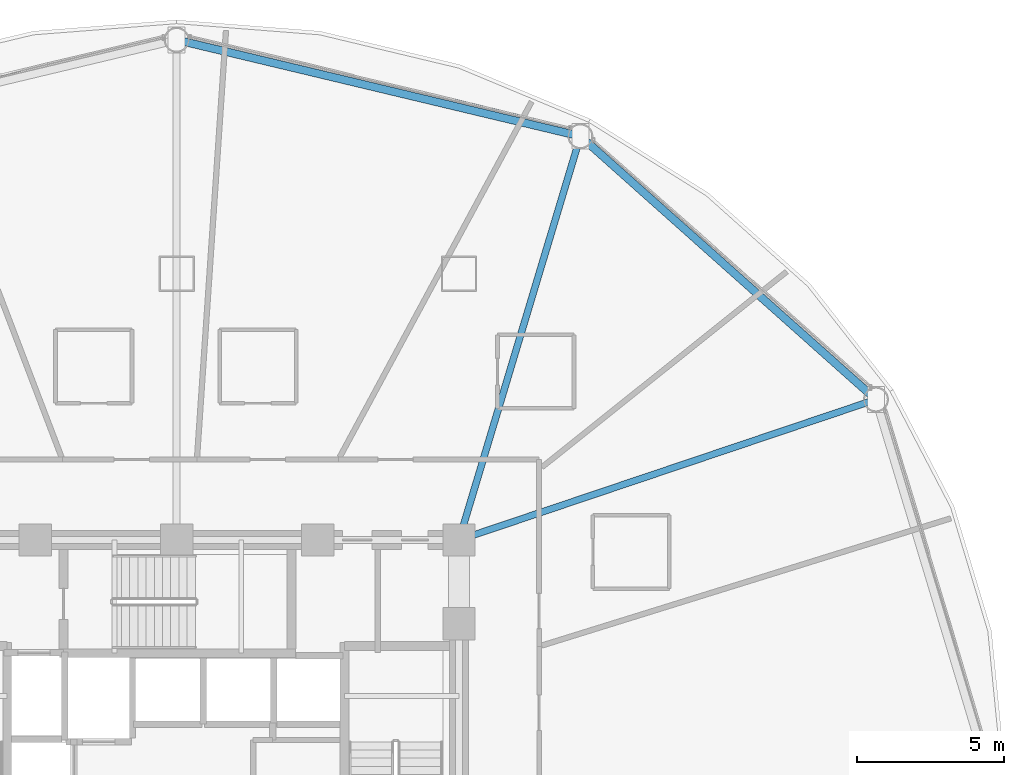
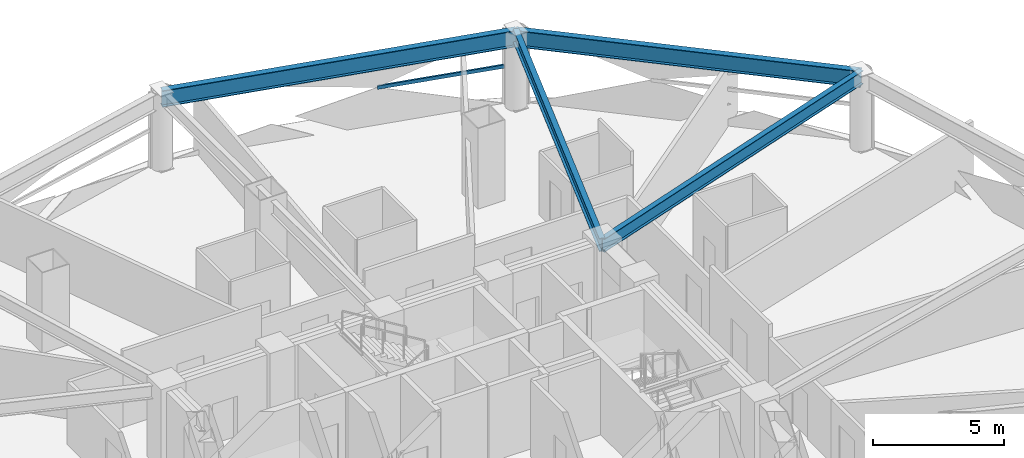
# One storey, part 18 of 29: 4 beams, 1 member, 1 element without a shape of its own.
"""IFC4 building model written with IfcOpenShell, lengths in metres."""

from ifc_helpers import new_model, si_unit, direction, frame, origin, origin_2d, place, context, subcontext, project, spatial, hollow_rectangle, i_section, extrude, material, layer, layer_set, material_profile, profile_set, type_object, element, aggregate, save


model = new_model("IFC4")

# Units and contexts
model_context = context("Model", 3, precision=1e-05, world=origin(), true_north=direction((0.0, 1.0)))
body_context = subcontext(model_context, "Body", "Model", "MODEL_VIEW")
ifc_project = project(units=[si_unit("LENGTHUNIT", "METRE"), si_unit("AREAUNIT", "SQUARE_METRE"), si_unit("VOLUMEUNIT", "CUBIC_METRE"), si_unit("PLANEANGLEUNIT", "RADIAN"), si_unit("MASSUNIT", "GRAM", prefix="KILO")], contexts=[model_context])

# Site, building, storey
site_placement = place(None, origin())
site = spatial("IfcSite", under=ifc_project, at=site_placement, CompositionType="ELEMENT")
building_placement = place(site_placement, origin())
building = spatial("IfcBuilding", under=site, at=building_placement, Name="Vantalir Tower", CompositionType="ELEMENT")
storey_placement = place(building_placement, frame((0.0, 0.0, 60.75)))
storey = spatial("IfcBuildingStorey", under=building, at=storey_placement, Name="L14", CompositionType="ELEMENT", Elevation=60.75)

# Beams
ifc_material_1 = material(Name="Steel S355", Category="steel")
ifc_material_profile_1 = material_profile(ifc_material_1, i_section(OverallWidth=0.22998046875, OverallDepth=0.616943359375, WebThickness=0.01318359375, FlangeThickness=0.022216796875, at=origin_2d()), Name="Steel S355")
ifc_profile_set_1 = profile_set([ifc_material_profile_1], Name="Steel S355")
beam_type_1 = type_object("IfcBeamType", Name="BM-RB-610x229", PredefinedType="BEAM", material=ifc_profile_set_1)
beam_1_placement = place(storey_placement, frame((55.27294921875, 37.22509765625, 3.261962890625), z_axis=(-0.947658091823, -0.319286925825, 0.0), x_axis=(0.319286925825, -0.947658091823, 0.0)))
element("IfcBeam", 1, at=beam_1_placement, inside=storey, type_object=beam_type_1, Name="L14 Radial Floor Beam 02", PredefinedType="BEAM", context=body_context, shape_type="SweptSolid", body=[
    extrude(i_section(OverallWidth=0.22998046875, OverallDepth=0.616943359375, WebThickness=0.01318359375, FlangeThickness=0.022216796875, at=origin_2d()), origin(), (0.0, 0.0, 1.0), 14.95556640625),
])
beam_2_placement = place(storey_placement, frame((45.22607421875, 46.175048828125, 3.261962890625), z_axis=(-0.287888578324, -0.95766391102, 0.0), x_axis=(0.95766391102, -0.287888578324, 0.0)))
element("IfcBeam", 2, at=beam_2_placement, inside=storey, type_object=beam_type_1, Name="L14 Radial Floor Beam 03", PredefinedType="BEAM", context=body_context, shape_type="SweptSolid", body=[
    extrude(i_section(OverallWidth=0.22998046875, OverallDepth=0.616943359375, WebThickness=0.01318359375, FlangeThickness=0.022216796875, at=origin_2d()), origin(), (0.0, 0.0, 1.0), 14.331787109375),
])
ifc_material_2 = material(Name="Steel S460", Category="steel")
ifc_material_profile_2 = material_profile(ifc_material_2, i_section(OverallWidth=0.26806640625, OverallDepth=0.77001953125, WebThickness=0.015625, FlangeThickness=0.025390625, at=origin_2d()), Name="Steel S460")
ifc_profile_set_2 = profile_set([ifc_material_profile_2], Name="Steel S460")
beam_type_2 = type_object("IfcBeamType", Name="BM-RG-762x267", PredefinedType="USERDEFINED", material=ifc_profile_set_2)
beam_3_placement = place(storey_placement, frame((55.27294921875, 37.22509765625, 3.18505859375), z_axis=(-0.746693105456, 0.665168705115, 0.0), x_axis=(-0.665168705115, -0.746693105456, 0.0)))
element("IfcBeam", 3, at=beam_3_placement, inside=storey, type_object=beam_type_2, Name="L14 Circumferential Ring Girder 02", ObjectType="GIRDER", PredefinedType="USERDEFINED", context=body_context, shape_type="SweptSolid", body=[
    extrude(i_section(OverallWidth=0.26806640625, OverallDepth=0.77001953125, WebThickness=0.015625, FlangeThickness=0.025390625, at=origin_2d()), origin(), (0.0, 0.0, 1.0), 13.455078125),
])
beam_4_placement = place(storey_placement, frame((45.22607421875, 46.175048828125, 3.18505859375), z_axis=(-0.97268207428, 0.232141298294, 0.0), x_axis=(-0.232141298294, -0.97268207428, 0.0)))
element("IfcBeam", 4, at=beam_4_placement, inside=storey, type_object=beam_type_2, Name="L14 Circumferential Ring Girder 03", ObjectType="GIRDER", PredefinedType="USERDEFINED", context=body_context, shape_type="SweptSolid", body=[
    extrude(i_section(OverallWidth=0.26806640625, OverallDepth=0.77001953125, WebThickness=0.015625, FlangeThickness=0.025390625, at=origin_2d()), origin(), (0.0, 0.0, 1.0), 14.111572265625),
])

# Curtain wall, member
ifc_material_3 = material(Name="Champagne-silver PVDF aluminium and double-silver Low-E glass", Category="aluminium")
ifc_layer = layer(ifc_material_3, 0.18994140625)
ifc_layer_set = layer_set([ifc_layer], Name="Champagne-silver PVDF aluminium and double-silver Low-E glass")
curtain_wall_type = type_object("IfcCurtainWallType", Name="CW-DIAMOND-Z1", PredefinedType="USERDEFINED", material=ifc_layer_set)
curtain_wall_placement = place(storey_placement, origin())
curtain_wall = element("IfcCurtainWall", 5, at=curtain_wall_placement, inside=storey, type_object=curtain_wall_type, Name="L14 Quilted Pyramid-Diamond Curtain Wall S03", ObjectType="UNITISED CURTAIN WALL", PredefinedType="USERDEFINED")
ifc_material_4 = material(Name="Champagne-silver PVDF aluminium 6063-T6", Category="aluminium")
ifc_material_profile_3 = material_profile(ifc_material_4, hollow_rectangle(XDim=0.074951171875, YDim=0.159912109375, WallThickness=0.00390625, at=origin_2d()), Name="Champagne-silver PVDF aluminium 6063-T6")
ifc_profile_set_3 = profile_set([ifc_material_profile_3], Name="Champagne-silver PVDF aluminium 6063-T6")
member_type = type_object("IfcMemberType", Name="CWT-160x75", PredefinedType="USERDEFINED", material=ifc_profile_set_3)
member_placement = place(storey_placement, frame((44.864013671875, 46.448974609375, 1.784912109375), z_axis=(-0.971522786839, 0.236946142936, 0.0), x_axis=(-0.236946142936, -0.971522786839, 0.0)))
member = element("IfcMember", 6, at=member_placement, type_object=member_type, Name="CW-L14-S03 Pyramid Fold Ridge Transom", ObjectType="TRANSOM", PredefinedType="USERDEFINED", context=body_context, shape_type="SweptSolid", body=[
    extrude(hollow_rectangle(XDim=0.074951171875, YDim=0.159912109375, WallThickness=0.00390625, at=origin_2d()), origin(), (0.0, 0.0, 1.0), 5.03955078125),
])
aggregate(curtain_wall, [member])

save(model, "model.ifc")
